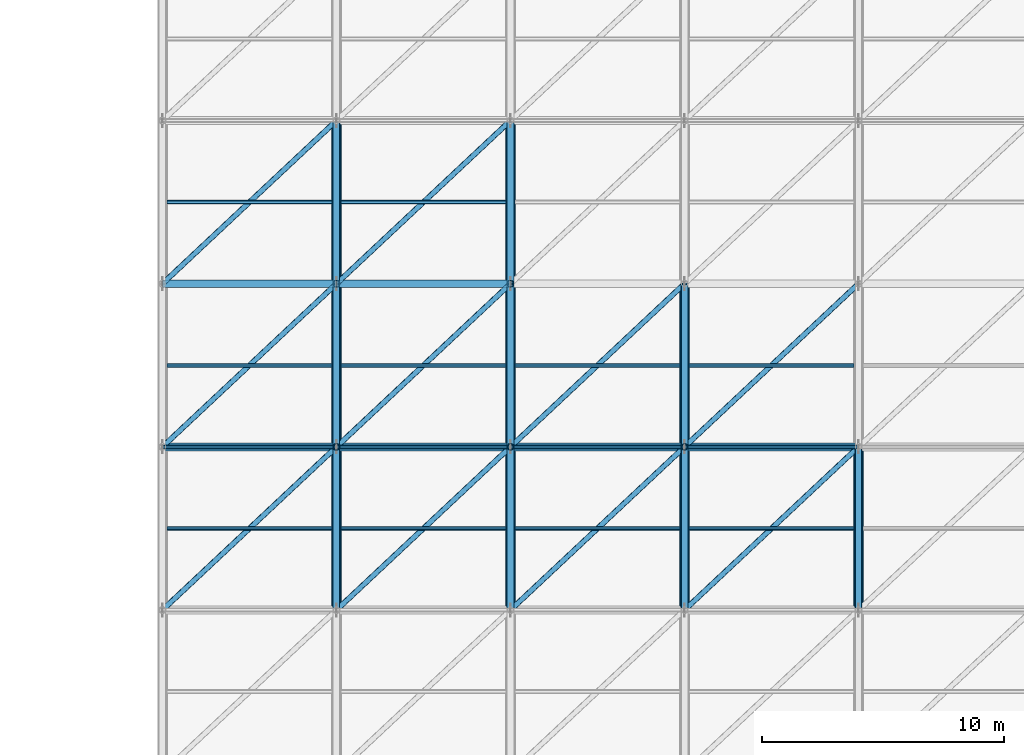
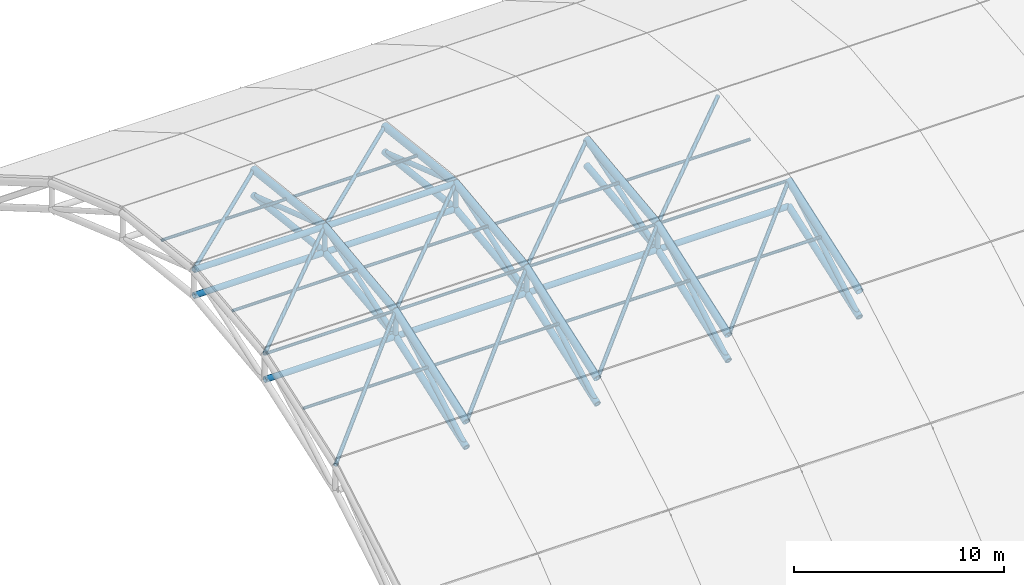
# One storey, part 3 of 72: 55 members, 9 beams.
"""IFC4 building model written with IfcOpenShell, lengths in metres."""

from ifc_helpers import new_model, si_unit, direction, frame, origin, origin_2d, place, context, subcontext, project, spatial, hollow_circle, extrude, material, material_profile, profile_set, type_object, element, save


model = new_model("IFC4")

# Units and contexts
model_context = context("Model", 3, precision=1e-05, world=origin(), true_north=direction((0.0, 1.0)))
body_context = subcontext(model_context, "Body", "Model", "MODEL_VIEW")
ifc_project = project(units=[si_unit("LENGTHUNIT", "METRE"), si_unit("AREAUNIT", "SQUARE_METRE"), si_unit("VOLUMEUNIT", "CUBIC_METRE"), si_unit("PLANEANGLEUNIT", "RADIAN"), si_unit("MASSUNIT", "GRAM", prefix="KILO")], contexts=[model_context])

# Site, building, storey
site_placement = place(None, origin())
site = spatial("IfcSite", under=ifc_project, at=site_placement, CompositionType="ELEMENT")
building_placement = place(site_placement, origin())
building = spatial("IfcBuilding", under=site, at=building_placement, Name="Vaelcorin Mobility Hub", CompositionType="ELEMENT")
storey_placement = place(building_placement, frame((0.0, 0.0, 25.800048828125)))
storey = spatial("IfcBuildingStorey", under=building, at=storey_placement, Name="RF", CompositionType="ELEMENT", Elevation=25.800048828125)

# Members
ifc_material = material(Name="Steel ASTM A500 Grade C", Category="steel")
ifc_material_profile_1 = material_profile(ifc_material, hollow_circle(Radius=0.161865234375, WallThickness=0.0126953125, at=origin_2d()), Name="HSS12.750X0.500")
ifc_profile_set_1 = profile_set([ifc_material_profile_1], Name="Steel ASTM A500 Grade C")
member_type_1 = type_object("IfcMemberType", Name="SF-CHORD-12", PredefinedType="CHORD", material=ifc_profile_set_1)
for number, where, z_axis, x_axis, name in (
    (1, (36.0, 26.25, -9.488037109375), (1.0, 0.0, 0.0), (0.0, 1.0, 0.0), "Space Frame Lower Longitudinal Chord 1-3"),
    (2, (36.0, 33.0, -7.199951171875), (1.0, 0.0, 0.0), (0.0, 1.0, 0.0), "Space Frame Longitudinal Chord 1-4"),
    (3, (36.0, 33.0, -8.699951171875), (1.0, 0.0, 0.0), (0.0, 1.0, 0.0), "Space Frame Lower Longitudinal Chord 1-4"),
    (4, (43.199951171875, 26.25, -9.488037109375), (1.0, 0.0, 0.0), (0.0, 1.0, 0.0), "Space Frame Lower Longitudinal Chord 2-3"),
    (5, (43.199951171875, 33.0, -7.199951171875), (1.0, 0.0, 0.0), (0.0, 1.0, 0.0), "Space Frame Longitudinal Chord 2-4"),
    (6, (43.199951171875, 33.0, -8.699951171875), (1.0, 0.0, 0.0), (0.0, 1.0, 0.0), "Space Frame Lower Longitudinal Chord 2-4"),
):
    element("IfcMember", number, at=place(storey_placement, frame(where, z_axis=z_axis, x_axis=x_axis)), inside=storey, type_object=member_type_1, Name=name, PredefinedType="CHORD", context=body_context, shape_type="SweptSolid", body=[
        extrude(hollow_circle(Radius=0.161865234375, WallThickness=0.0126953125, at=origin_2d()), origin(), (0.0, 0.0, 1.0), 7.199951171875),
    ])
member_1_placement = place(storey_placement, frame((50.39990234375, 26.25, -9.488037109375), z_axis=(1.0, 0.0, 0.0), x_axis=(0.0, 1.0, 0.0)))
element("IfcMember", 7, at=member_1_placement, inside=storey, type_object=member_type_1, Name="Space Frame Lower Longitudinal Chord 3-3", PredefinedType="CHORD", context=body_context, shape_type="SweptSolid", body=[
    extrude(hollow_circle(Radius=0.161865234375, WallThickness=0.0126953125, at=origin_2d()), origin(), (0.0, 0.0, 1.0), 7.2001953125),
])
member_2_placement = place(storey_placement, frame((57.60009765625, 26.25, -9.488037109375), z_axis=(1.0, 0.0, 0.0), x_axis=(0.0, 1.0, 0.0)))
element("IfcMember", 8, at=member_2_placement, inside=storey, type_object=member_type_1, Name="Space Frame Lower Longitudinal Chord 4-3", PredefinedType="CHORD", context=body_context, shape_type="SweptSolid", body=[
    extrude(hollow_circle(Radius=0.161865234375, WallThickness=0.0126953125, at=origin_2d()), origin(), (0.0, 0.0, 1.0), 7.199951171875),
])
ifc_material_profile_2 = material_profile(ifc_material, hollow_circle(Radius=0.177734375, WallThickness=0.0126953125, at=origin_2d()), Name="HSS14.000X0.500")
ifc_profile_set_2 = profile_set([ifc_material_profile_2], Name="Steel ASTM A500 Grade C")
member_type_2 = type_object("IfcMemberType", Name="SF-CHORD-14", PredefinedType="CHORD", material=ifc_profile_set_2)
member_3_placement = place(storey_placement, frame((43.199951171875, 19.5, -11.85009765625), z_axis=(0.0, 0.943877515247, 0.330295679977), x_axis=(-1.0, 0.0, 0.0)))
element("IfcMember", 9, at=member_3_placement, inside=storey, type_object=member_type_2, Name="Space Frame Roof Truss Lower Chord 2-3", PredefinedType="CHORD", context=body_context, shape_type="SweptSolid", body=[
    extrude(hollow_circle(Radius=0.177734375, WallThickness=0.0126953125, at=origin_2d()), origin(), (0.0, 0.0, 1.0), 7.1513671875),
])
for number, where, z_axis, x_axis, name in (
    (10, (43.199951171875, 26.25, -9.488037109375), (0.0, 0.993253211532, 0.115965761242), (-1.0, 0.0, 0.0), "Space Frame Roof Truss Lower Chord 2-4"),
    (11, (43.199951171875, 33.0, -8.699951171875), (0.0, 0.993253211532, -0.115965761242), (-1.0, 0.0, 0.0), "Space Frame Roof Truss Lower Chord 2-5"),
):
    element("IfcMember", number, at=place(storey_placement, frame(where, z_axis=z_axis, x_axis=x_axis)), inside=storey, type_object=member_type_2, Name=name, PredefinedType="CHORD", context=body_context, shape_type="SweptSolid", body=[
        extrude(hollow_circle(Radius=0.177734375, WallThickness=0.0126953125, at=origin_2d()), origin(), (0.0, 0.0, 1.0), 6.7958984375),
    ])
member_4_placement = place(storey_placement, frame((50.39990234375, 19.5, -11.85009765625), z_axis=(0.0, 0.943877515247, 0.330295679977), x_axis=(-1.0, 0.0, 0.0)))
element("IfcMember", 12, at=member_4_placement, inside=storey, type_object=member_type_2, Name="Space Frame Roof Truss Lower Chord 3-3", PredefinedType="CHORD", context=body_context, shape_type="SweptSolid", body=[
    extrude(hollow_circle(Radius=0.177734375, WallThickness=0.0126953125, at=origin_2d()), origin(), (0.0, 0.0, 1.0), 7.1513671875),
])
for number, where, z_axis, x_axis, name in (
    (13, (50.39990234375, 26.25, -9.488037109375), (0.0, 0.993253211532, 0.115965761242), (-1.0, 0.0, 0.0), "Space Frame Roof Truss Lower Chord 3-4"),
    (14, (50.39990234375, 33.0, -8.699951171875), (0.0, 0.993253211532, -0.115965761242), (-1.0, 0.0, 0.0), "Space Frame Roof Truss Lower Chord 3-5"),
):
    element("IfcMember", number, at=place(storey_placement, frame(where, z_axis=z_axis, x_axis=x_axis)), inside=storey, type_object=member_type_2, Name=name, PredefinedType="CHORD", context=body_context, shape_type="SweptSolid", body=[
        extrude(hollow_circle(Radius=0.177734375, WallThickness=0.0126953125, at=origin_2d()), origin(), (0.0, 0.0, 1.0), 6.7958984375),
    ])
member_5_placement = place(storey_placement, frame((57.60009765625, 19.5, -11.85009765625), z_axis=(0.0, 0.943877515247, 0.330295679977), x_axis=(-1.0, 0.0, 0.0)))
element("IfcMember", 15, at=member_5_placement, inside=storey, type_object=member_type_2, Name="Space Frame Roof Truss Lower Chord 4-3", PredefinedType="CHORD", context=body_context, shape_type="SweptSolid", body=[
    extrude(hollow_circle(Radius=0.177734375, WallThickness=0.0126953125, at=origin_2d()), origin(), (0.0, 0.0, 1.0), 7.1513671875),
])
member_6_placement = place(storey_placement, frame((57.60009765625, 26.25, -9.488037109375), z_axis=(0.0, 0.993253211532, 0.115965761242), x_axis=(-1.0, 0.0, 0.0)))
element("IfcMember", 16, at=member_6_placement, inside=storey, type_object=member_type_2, Name="Space Frame Roof Truss Lower Chord 4-4", PredefinedType="CHORD", context=body_context, shape_type="SweptSolid", body=[
    extrude(hollow_circle(Radius=0.177734375, WallThickness=0.0126953125, at=origin_2d()), origin(), (0.0, 0.0, 1.0), 6.7958984375),
])
member_7_placement = place(storey_placement, frame((64.800048828125, 19.5, -11.85009765625), z_axis=(0.0, 0.943877515247, 0.330295679977), x_axis=(-1.0, 0.0, 0.0)))
element("IfcMember", 17, at=member_7_placement, inside=storey, type_object=member_type_2, Name="Space Frame Roof Truss Lower Chord 5-3", PredefinedType="CHORD", context=body_context, shape_type="SweptSolid", body=[
    extrude(hollow_circle(Radius=0.177734375, WallThickness=0.0126953125, at=origin_2d()), origin(), (0.0, 0.0, 1.0), 7.1513671875),
])
ifc_material_profile_3 = material_profile(ifc_material, hollow_circle(Radius=0.136474609375, WallThickness=0.0126953125, at=origin_2d()), Name="HSS10.750X0.500")
ifc_profile_set_3 = profile_set([ifc_material_profile_3], Name="Steel ASTM A500 Grade C")
member_type_3 = type_object("IfcMemberType", Name="SF-DIAG-10", PredefinedType="BRACE", material=ifc_profile_set_3)
member_8_placement = place(storey_placement, frame((43.199951171875, 19.5, -11.85009765625), z_axis=(0.0, 0.867970611296, 0.496615563516), x_axis=(-1.0, 0.0, 0.0)))
element("IfcMember", 18, at=member_8_placement, inside=storey, type_object=member_type_3, Name="Space Frame Roof Truss Web Diagonal 2-3", PredefinedType="BRACE", context=body_context, shape_type="SweptSolid", body=[
    extrude(hollow_circle(Radius=0.136474609375, WallThickness=0.0126953125, at=origin_2d()), origin(), (0.0, 0.0, 1.0), 7.77685546875),
])
for number, where, z_axis, x_axis, name in (
    (19, (43.199951171875, 26.25, -9.488037109375), (0.0, 0.947067997683, 0.321033032201), (-1.0, 0.0, 0.0), "Space Frame Roof Truss Web Diagonal 2-4"),
    (20, (43.199951171875, 33.0, -7.199951171875), (0.0, 0.947067997683, -0.321033032201), (-1.0, 0.0, 0.0), "Space Frame Roof Truss Web Diagonal 2-5"),
):
    element("IfcMember", number, at=place(storey_placement, frame(where, z_axis=z_axis, x_axis=x_axis)), inside=storey, type_object=member_type_3, Name=name, PredefinedType="BRACE", context=body_context, shape_type="SweptSolid", body=[
        extrude(hollow_circle(Radius=0.136474609375, WallThickness=0.0126953125, at=origin_2d()), origin(), (0.0, 0.0, 1.0), 7.127197265625),
    ])
member_9_placement = place(storey_placement, frame((50.39990234375, 19.5, -11.85009765625), z_axis=(0.0, 0.867970611296, 0.496615563516), x_axis=(-1.0, 0.0, 0.0)))
element("IfcMember", 21, at=member_9_placement, inside=storey, type_object=member_type_3, Name="Space Frame Roof Truss Web Diagonal 3-3", PredefinedType="BRACE", context=body_context, shape_type="SweptSolid", body=[
    extrude(hollow_circle(Radius=0.136474609375, WallThickness=0.0126953125, at=origin_2d()), origin(), (0.0, 0.0, 1.0), 7.77685546875),
])
for number, where, z_axis, x_axis, name in (
    (22, (50.39990234375, 26.25, -9.488037109375), (0.0, 0.947067997683, 0.321033032201), (-1.0, 0.0, 0.0), "Space Frame Roof Truss Web Diagonal 3-4"),
    (23, (50.39990234375, 33.0, -7.199951171875), (0.0, 0.947067997683, -0.321033032201), (-1.0, 0.0, 0.0), "Space Frame Roof Truss Web Diagonal 3-5"),
):
    element("IfcMember", number, at=place(storey_placement, frame(where, z_axis=z_axis, x_axis=x_axis)), inside=storey, type_object=member_type_3, Name=name, PredefinedType="BRACE", context=body_context, shape_type="SweptSolid", body=[
        extrude(hollow_circle(Radius=0.136474609375, WallThickness=0.0126953125, at=origin_2d()), origin(), (0.0, 0.0, 1.0), 7.127197265625),
    ])
member_10_placement = place(storey_placement, frame((57.60009765625, 19.5, -11.85009765625), z_axis=(0.0, 0.867970611296, 0.496615563516), x_axis=(-1.0, 0.0, 0.0)))
element("IfcMember", 24, at=member_10_placement, inside=storey, type_object=member_type_3, Name="Space Frame Roof Truss Web Diagonal 4-3", PredefinedType="BRACE", context=body_context, shape_type="SweptSolid", body=[
    extrude(hollow_circle(Radius=0.136474609375, WallThickness=0.0126953125, at=origin_2d()), origin(), (0.0, 0.0, 1.0), 7.77685546875),
])
member_11_placement = place(storey_placement, frame((57.60009765625, 26.25, -9.488037109375), z_axis=(0.0, 0.947067997683, 0.321033032201), x_axis=(-1.0, 0.0, 0.0)))
element("IfcMember", 25, at=member_11_placement, inside=storey, type_object=member_type_3, Name="Space Frame Roof Truss Web Diagonal 4-4", PredefinedType="BRACE", context=body_context, shape_type="SweptSolid", body=[
    extrude(hollow_circle(Radius=0.136474609375, WallThickness=0.0126953125, at=origin_2d()), origin(), (0.0, 0.0, 1.0), 7.127197265625),
])
member_12_placement = place(storey_placement, frame((64.800048828125, 19.5, -11.85009765625), z_axis=(0.0, 0.867970611296, 0.496615563516), x_axis=(-1.0, 0.0, 0.0)))
element("IfcMember", 26, at=member_12_placement, inside=storey, type_object=member_type_3, Name="Space Frame Roof Truss Web Diagonal 5-3", PredefinedType="BRACE", context=body_context, shape_type="SweptSolid", body=[
    extrude(hollow_circle(Radius=0.136474609375, WallThickness=0.0126953125, at=origin_2d()), origin(), (0.0, 0.0, 1.0), 7.77685546875),
])
ifc_material_profile_4 = material_profile(ifc_material, hollow_circle(Radius=0.109619140625, WallThickness=0.009521484375, at=origin_2d()), Name="HSS8.625X0.375")
ifc_profile_set_4 = profile_set([ifc_material_profile_4], Name="Steel ASTM A500 Grade C")
member_type_4 = type_object("IfcMemberType", Name="SF-DIAG-8", PredefinedType="BRACE", material=ifc_profile_set_4)
member_13_placement = place(storey_placement, frame((36.0, 19.5, -10.35009765625), z_axis=(0.709497274068, 0.665158205331, 0.232762067295), x_axis=(-0.683943597489, 0.729534889813, 0.0)))
element("IfcMember", 27, at=member_13_placement, inside=storey, type_object=member_type_4, Name="Space Frame Bracing Diagonal 1-3", PredefinedType="BRACE", context=body_context, shape_type="SweptSolid", body=[
    extrude(hollow_circle(Radius=0.109619140625, WallThickness=0.009521484375, at=origin_2d()), origin(), (0.0, 0.0, 1.0), 10.14794921875),
])
for number, where, z_axis, x_axis, name in (
    (28, (36.0, 26.25, -7.988037109375), (0.727220026483, 0.6817733984, 0.079599411532), (-0.683943597489, 0.729534889813, 0.0), "Space Frame Bracing Diagonal 1-4"),
    (29, (36.0, 33.0, -7.199951171875), (0.727220026483, 0.6817733984, -0.079599411532), (-0.683943597489, 0.729534889813, 0.0), "Space Frame Bracing Diagonal 1-5"),
):
    element("IfcMember", number, at=place(storey_placement, frame(where, z_axis=z_axis, x_axis=x_axis)), inside=storey, type_object=member_type_4, Name=name, PredefinedType="BRACE", context=body_context, shape_type="SweptSolid", body=[
        extrude(hollow_circle(Radius=0.109619140625, WallThickness=0.009521484375, at=origin_2d()), origin(), (0.0, 0.0, 1.0), 9.900634765625),
    ])
member_14_placement = place(storey_placement, frame((43.199951171875, 19.5, -10.35009765625), z_axis=(0.709497274068, 0.665158205331, 0.232762067295), x_axis=(-0.683943597489, 0.729534889813, 0.0)))
element("IfcMember", 30, at=member_14_placement, inside=storey, type_object=member_type_4, Name="Space Frame Bracing Diagonal 2-3", PredefinedType="BRACE", context=body_context, shape_type="SweptSolid", body=[
    extrude(hollow_circle(Radius=0.109619140625, WallThickness=0.009521484375, at=origin_2d()), origin(), (0.0, 0.0, 1.0), 10.14794921875),
])
for number, where, z_axis, x_axis, name in (
    (31, (43.199951171875, 26.25, -7.988037109375), (0.727220026483, 0.6817733984, 0.079599411532), (-0.683943597489, 0.729534889813, 0.0), "Space Frame Bracing Diagonal 2-4"),
    (32, (43.199951171875, 33.0, -7.199951171875), (0.727220026483, 0.6817733984, -0.079599411532), (-0.683943597489, 0.729534889813, 0.0), "Space Frame Bracing Diagonal 2-5"),
):
    element("IfcMember", number, at=place(storey_placement, frame(where, z_axis=z_axis, x_axis=x_axis)), inside=storey, type_object=member_type_4, Name=name, PredefinedType="BRACE", context=body_context, shape_type="SweptSolid", body=[
        extrude(hollow_circle(Radius=0.109619140625, WallThickness=0.009521484375, at=origin_2d()), origin(), (0.0, 0.0, 1.0), 9.900634765625),
    ])
member_15_placement = place(storey_placement, frame((50.39990234375, 19.5, -10.35009765625), z_axis=(0.709509221339, 0.665146851742, 0.232758094278), x_axis=(-0.683931254551, 0.729546461199, 0.0)))
element("IfcMember", 33, at=member_15_placement, inside=storey, type_object=member_type_4, Name="Space Frame Bracing Diagonal 3-3", PredefinedType="BRACE", context=body_context, shape_type="SweptSolid", body=[
    extrude(hollow_circle(Radius=0.109619140625, WallThickness=0.009521484375, at=origin_2d()), origin(), (0.0, 0.0, 1.0), 10.148193359375),
])
member_16_placement = place(storey_placement, frame((50.39990234375, 26.25, -7.988037109375), z_axis=(0.727231644307, 0.681761172583, 0.079597984125), x_axis=(-0.683931254551, 0.729546461199, 0.0)))
element("IfcMember", 34, at=member_16_placement, inside=storey, type_object=member_type_4, Name="Space Frame Bracing Diagonal 3-4", PredefinedType="BRACE", context=body_context, shape_type="SweptSolid", body=[
    extrude(hollow_circle(Radius=0.109619140625, WallThickness=0.009521484375, at=origin_2d()), origin(), (0.0, 0.0, 1.0), 9.90087890625),
])
member_17_placement = place(storey_placement, frame((57.60009765625, 19.5, -10.35009765625), z_axis=(0.709497274068, 0.665158205331, 0.232762067295), x_axis=(-0.683943597489, 0.729534889813, 0.0)))
element("IfcMember", 35, at=member_17_placement, inside=storey, type_object=member_type_4, Name="Space Frame Bracing Diagonal 4-3", PredefinedType="BRACE", context=body_context, shape_type="SweptSolid", body=[
    extrude(hollow_circle(Radius=0.109619140625, WallThickness=0.009521484375, at=origin_2d()), origin(), (0.0, 0.0, 1.0), 10.14794921875),
])
member_18_placement = place(storey_placement, frame((57.60009765625, 26.25, -7.988037109375), z_axis=(0.727220026483, 0.6817733984, 0.079599411532), x_axis=(-0.683943597489, 0.729534889813, 0.0)))
element("IfcMember", 36, at=member_18_placement, inside=storey, type_object=member_type_4, Name="Space Frame Bracing Diagonal 4-4", PredefinedType="BRACE", context=body_context, shape_type="SweptSolid", body=[
    extrude(hollow_circle(Radius=0.109619140625, WallThickness=0.009521484375, at=origin_2d()), origin(), (0.0, 0.0, 1.0), 9.900634765625),
])
ifc_material_profile_5 = material_profile(ifc_material, hollow_circle(Radius=0.136474609375, WallThickness=0.0126953125, at=origin_2d()), Name="HSS10.750X0.500")
ifc_profile_set_5 = profile_set([ifc_material_profile_5], Name="Steel ASTM A500 Grade C")
member_type_5 = type_object("IfcMemberType", Name="SF-POST-10", PredefinedType="POST", material=ifc_profile_set_5)
for number, where, z_axis, x_axis, name in (
    (37, (43.199951171875, 26.25, -9.488037109375), (0.0, 0.0, 1.0), (1.0, 0.0, 0.0), "Space Frame Roof Truss Post 2-3"),
    (38, (43.199951171875, 33.0, -8.699951171875), (0.0, 0.0, 1.0), (1.0, 0.0, 0.0), "Space Frame Roof Truss Post 2-4"),
    (39, (50.39990234375, 26.25, -9.488037109375), (0.0, 0.0, 1.0), (1.0, 0.0, 0.0), "Space Frame Roof Truss Post 3-3"),
    (40, (50.39990234375, 33.0, -8.699951171875), (0.0, 0.0, 1.0), (1.0, 0.0, 0.0), "Space Frame Roof Truss Post 3-4"),
    (41, (57.60009765625, 26.25, -9.488037109375), (0.0, 0.0, 1.0), (1.0, 0.0, 0.0), "Space Frame Roof Truss Post 4-3"),
):
    element("IfcMember", number, at=place(storey_placement, frame(where, z_axis=z_axis, x_axis=x_axis)), inside=storey, type_object=member_type_5, Name=name, PredefinedType="POST", context=body_context, shape_type="SweptSolid", body=[
        extrude(hollow_circle(Radius=0.136474609375, WallThickness=0.0126953125, at=origin_2d()), origin(), (0.0, 0.0, 1.0), 1.5),
    ])
ifc_material_profile_6 = material_profile(ifc_material, hollow_circle(Radius=0.084228515625, WallThickness=0.0078125, at=origin_2d()), Name="HSS6.625X0.312")
ifc_profile_set_6 = profile_set([ifc_material_profile_6], Name="Steel ASTM A500 Grade C")
member_type_6 = type_object("IfcMemberType", Name="SF-PURL-6", PredefinedType="PURLIN", material=ifc_profile_set_6)
member_19_placement = place(storey_placement, frame((36.0, 26.25, -7.988037109375), z_axis=(1.0, 0.0, 0.0), x_axis=(0.0, 1.0, 0.0)))
element("IfcMember", 42, at=member_19_placement, inside=storey, type_object=member_type_6, Name="Space Frame Longitudinal Chord 1-3", PredefinedType="PURLIN", context=body_context, shape_type="SweptSolid", body=[
    extrude(hollow_circle(Radius=0.084228515625, WallThickness=0.0078125, at=origin_2d()), origin(), (0.0, 0.0, 1.0), 7.199951171875),
])
for number, where, z_axis, x_axis, name in (
    (43, (36.179931640625, 22.875, -9.1689453125), (1.0, 0.0, 0.0), (0.0, 1.0, 0.0), "Space Frame Secondary Purlin 1-3"),
    (44, (36.179931640625, 29.625, -7.593994140625), (1.0, 0.0, 0.0), (0.0, 1.0, 0.0), "Space Frame Secondary Purlin 1-4"),
    (45, (36.179931640625, 36.375, -7.593994140625), (1.0, 0.0, 0.0), (0.0, 1.0, 0.0), "Space Frame Secondary Purlin 1-5"),
):
    element("IfcMember", number, at=place(storey_placement, frame(where, z_axis=z_axis, x_axis=x_axis)), inside=storey, type_object=member_type_6, Name=name, PredefinedType="PURLIN", context=body_context, shape_type="SweptSolid", body=[
        extrude(hollow_circle(Radius=0.084228515625, WallThickness=0.0078125, at=origin_2d()), origin(), (0.0, 0.0, 1.0), 6.840087890625),
    ])
member_20_placement = place(storey_placement, frame((43.199951171875, 26.25, -7.988037109375), z_axis=(1.0, 0.0, 0.0), x_axis=(0.0, 1.0, 0.0)))
element("IfcMember", 46, at=member_20_placement, inside=storey, type_object=member_type_6, Name="Space Frame Longitudinal Chord 2-3", PredefinedType="PURLIN", context=body_context, shape_type="SweptSolid", body=[
    extrude(hollow_circle(Radius=0.084228515625, WallThickness=0.0078125, at=origin_2d()), origin(), (0.0, 0.0, 1.0), 7.199951171875),
])
for number, where, z_axis, x_axis, name in (
    (47, (43.3798828125, 22.875, -9.1689453125), (1.0, 0.0, 0.0), (0.0, 1.0, 0.0), "Space Frame Secondary Purlin 2-3"),
    (48, (43.3798828125, 29.625, -7.593994140625), (1.0, 0.0, 0.0), (0.0, 1.0, 0.0), "Space Frame Secondary Purlin 2-4"),
    (49, (43.3798828125, 36.375, -7.593994140625), (1.0, 0.0, 0.0), (0.0, 1.0, 0.0), "Space Frame Secondary Purlin 2-5"),
):
    element("IfcMember", number, at=place(storey_placement, frame(where, z_axis=z_axis, x_axis=x_axis)), inside=storey, type_object=member_type_6, Name=name, PredefinedType="PURLIN", context=body_context, shape_type="SweptSolid", body=[
        extrude(hollow_circle(Radius=0.084228515625, WallThickness=0.0078125, at=origin_2d()), origin(), (0.0, 0.0, 1.0), 6.840087890625),
    ])
member_21_placement = place(storey_placement, frame((50.39990234375, 26.25, -7.988037109375), z_axis=(1.0, 0.0, 0.0), x_axis=(0.0, 1.0, 0.0)))
element("IfcMember", 50, at=member_21_placement, inside=storey, type_object=member_type_6, Name="Space Frame Longitudinal Chord 3-3", PredefinedType="PURLIN", context=body_context, shape_type="SweptSolid", body=[
    extrude(hollow_circle(Radius=0.084228515625, WallThickness=0.0078125, at=origin_2d()), origin(), (0.0, 0.0, 1.0), 7.2001953125),
])
for number, where, z_axis, x_axis, name in (
    (51, (50.580078125, 22.875, -9.1689453125), (1.0, 0.0, 0.0), (0.0, 1.0, 0.0), "Space Frame Secondary Purlin 3-3"),
    (52, (50.580078125, 29.625, -7.593994140625), (1.0, 0.0, 0.0), (0.0, 1.0, 0.0), "Space Frame Secondary Purlin 3-4"),
):
    element("IfcMember", number, at=place(storey_placement, frame(where, z_axis=z_axis, x_axis=x_axis)), inside=storey, type_object=member_type_6, Name=name, PredefinedType="PURLIN", context=body_context, shape_type="SweptSolid", body=[
        extrude(hollow_circle(Radius=0.084228515625, WallThickness=0.0078125, at=origin_2d()), origin(), (0.0, 0.0, 1.0), 6.83984375),
    ])
member_22_placement = place(storey_placement, frame((57.60009765625, 26.25, -7.988037109375), z_axis=(1.0, 0.0, 0.0), x_axis=(0.0, 1.0, 0.0)))
element("IfcMember", 53, at=member_22_placement, inside=storey, type_object=member_type_6, Name="Space Frame Longitudinal Chord 4-3", PredefinedType="PURLIN", context=body_context, shape_type="SweptSolid", body=[
    extrude(hollow_circle(Radius=0.084228515625, WallThickness=0.0078125, at=origin_2d()), origin(), (0.0, 0.0, 1.0), 7.199951171875),
])
for number, where, z_axis, x_axis, name in (
    (54, (57.780029296875, 22.875, -9.1689453125), (1.0, 0.0, 0.0), (0.0, 1.0, 0.0), "Space Frame Secondary Purlin 4-3"),
    (55, (57.780029296875, 29.625, -7.593994140625), (1.0, 0.0, 0.0), (0.0, 1.0, 0.0), "Space Frame Secondary Purlin 4-4"),
):
    element("IfcMember", number, at=place(storey_placement, frame(where, z_axis=z_axis, x_axis=x_axis)), inside=storey, type_object=member_type_6, Name=name, PredefinedType="PURLIN", context=body_context, shape_type="SweptSolid", body=[
        extrude(hollow_circle(Radius=0.084228515625, WallThickness=0.0078125, at=origin_2d()), origin(), (0.0, 0.0, 1.0), 6.840087890625),
    ])

# Beams
ifc_material_profile_7 = material_profile(ifc_material, hollow_circle(Radius=0.203125, WallThickness=0.015869140625, at=origin_2d()), Name="HSS16.000X0.625")
ifc_profile_set_7 = profile_set([ifc_material_profile_7], Name="Steel ASTM A500 Grade C")
beam_type = type_object("IfcBeamType", Name="TR-CHORD-16", PredefinedType="BEAM", material=ifc_profile_set_7)
beam_1_placement = place(storey_placement, frame((43.199951171875, 19.5, -10.35009765625), z_axis=(0.0, 0.943877515247, 0.330295679977), x_axis=(-1.0, 0.0, 0.0)))
element("IfcBeam", 56, at=beam_1_placement, inside=storey, type_object=beam_type, Name="Space Frame Roof Truss Upper Chord 2-3", PredefinedType="BEAM", context=body_context, shape_type="SweptSolid", body=[
    extrude(hollow_circle(Radius=0.203125, WallThickness=0.015869140625, at=origin_2d()), origin(), (0.0, 0.0, 1.0), 7.1513671875),
])
for number, where, z_axis, x_axis, name in (
    (57, (43.199951171875, 26.25, -7.988037109375), (0.0, 0.993253211532, 0.115965761242), (-1.0, 0.0, 0.0), "Space Frame Roof Truss Upper Chord 2-4"),
    (58, (43.199951171875, 33.0, -7.199951171875), (0.0, 0.993253211532, -0.115965761242), (-1.0, 0.0, 0.0), "Space Frame Roof Truss Upper Chord 2-5"),
):
    element("IfcBeam", number, at=place(storey_placement, frame(where, z_axis=z_axis, x_axis=x_axis)), inside=storey, type_object=beam_type, Name=name, PredefinedType="BEAM", context=body_context, shape_type="SweptSolid", body=[
        extrude(hollow_circle(Radius=0.203125, WallThickness=0.015869140625, at=origin_2d()), origin(), (0.0, 0.0, 1.0), 6.7958984375),
    ])
beam_2_placement = place(storey_placement, frame((50.39990234375, 19.5, -10.35009765625), z_axis=(0.0, 0.943877515247, 0.330295679977), x_axis=(-1.0, 0.0, 0.0)))
element("IfcBeam", 59, at=beam_2_placement, inside=storey, type_object=beam_type, Name="Space Frame Roof Truss Upper Chord 3-3", PredefinedType="BEAM", context=body_context, shape_type="SweptSolid", body=[
    extrude(hollow_circle(Radius=0.203125, WallThickness=0.015869140625, at=origin_2d()), origin(), (0.0, 0.0, 1.0), 7.1513671875),
])
for number, where, z_axis, x_axis, name in (
    (60, (50.39990234375, 26.25, -7.988037109375), (0.0, 0.993253211532, 0.115965761242), (-1.0, 0.0, 0.0), "Space Frame Roof Truss Upper Chord 3-4"),
    (61, (50.39990234375, 33.0, -7.199951171875), (0.0, 0.993253211532, -0.115965761242), (-1.0, 0.0, 0.0), "Space Frame Roof Truss Upper Chord 3-5"),
):
    element("IfcBeam", number, at=place(storey_placement, frame(where, z_axis=z_axis, x_axis=x_axis)), inside=storey, type_object=beam_type, Name=name, PredefinedType="BEAM", context=body_context, shape_type="SweptSolid", body=[
        extrude(hollow_circle(Radius=0.203125, WallThickness=0.015869140625, at=origin_2d()), origin(), (0.0, 0.0, 1.0), 6.7958984375),
    ])
beam_3_placement = place(storey_placement, frame((57.60009765625, 19.5, -10.35009765625), z_axis=(0.0, 0.943877515247, 0.330295679977), x_axis=(-1.0, 0.0, 0.0)))
element("IfcBeam", 62, at=beam_3_placement, inside=storey, type_object=beam_type, Name="Space Frame Roof Truss Upper Chord 4-3", PredefinedType="BEAM", context=body_context, shape_type="SweptSolid", body=[
    extrude(hollow_circle(Radius=0.203125, WallThickness=0.015869140625, at=origin_2d()), origin(), (0.0, 0.0, 1.0), 7.1513671875),
])
beam_4_placement = place(storey_placement, frame((57.60009765625, 26.25, -7.988037109375), z_axis=(0.0, 0.993253211532, 0.115965761242), x_axis=(-1.0, 0.0, 0.0)))
element("IfcBeam", 63, at=beam_4_placement, inside=storey, type_object=beam_type, Name="Space Frame Roof Truss Upper Chord 4-4", PredefinedType="BEAM", context=body_context, shape_type="SweptSolid", body=[
    extrude(hollow_circle(Radius=0.203125, WallThickness=0.015869140625, at=origin_2d()), origin(), (0.0, 0.0, 1.0), 6.7958984375),
])
beam_5_placement = place(storey_placement, frame((64.800048828125, 19.5, -10.35009765625), z_axis=(0.0, 0.943877515247, 0.330295679977), x_axis=(-1.0, 0.0, 0.0)))
element("IfcBeam", 64, at=beam_5_placement, inside=storey, type_object=beam_type, Name="Space Frame Roof Truss Upper Chord 5-3", PredefinedType="BEAM", context=body_context, shape_type="SweptSolid", body=[
    extrude(hollow_circle(Radius=0.203125, WallThickness=0.015869140625, at=origin_2d()), origin(), (0.0, 0.0, 1.0), 7.1513671875),
])

save(model, "model.ifc")
